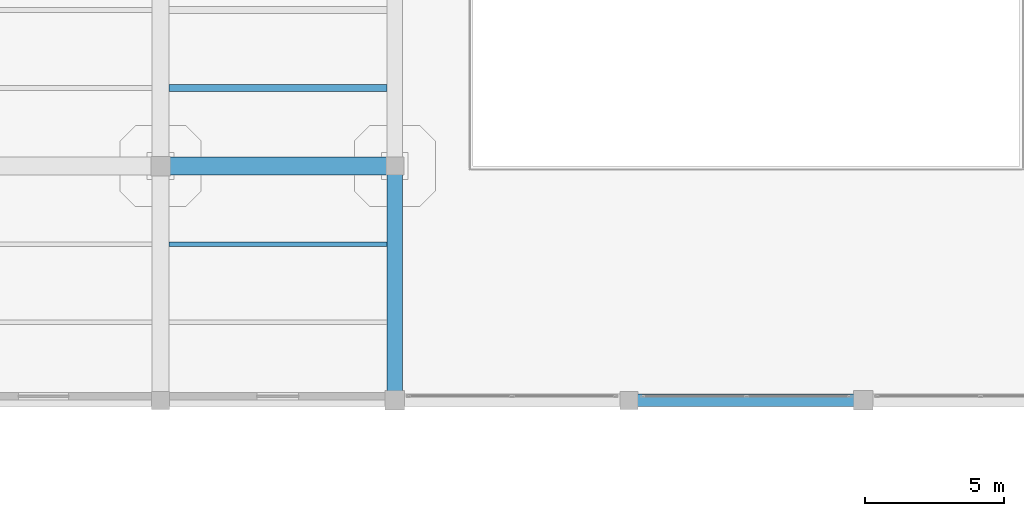
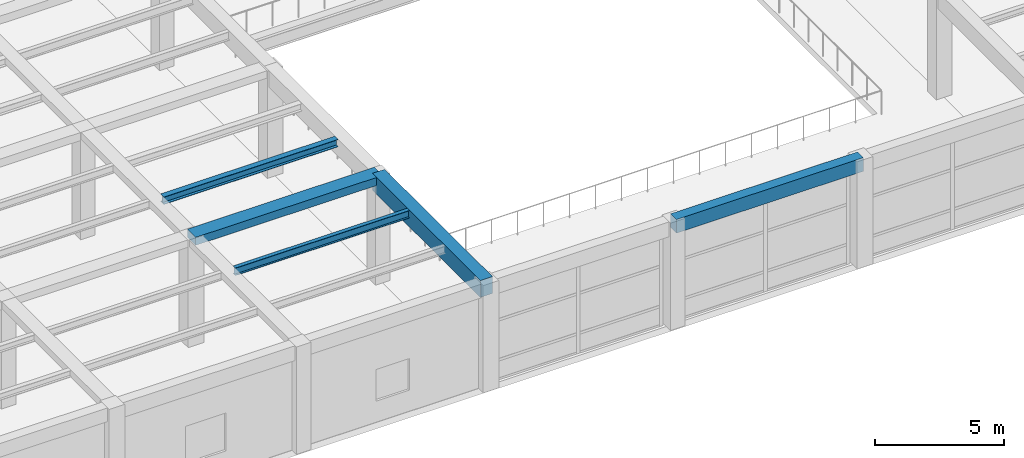
# One storey, part 24 of 95: 5 beams.
"""IFC4 building model written with IfcOpenShell, lengths in metres."""

from ifc_helpers import new_model, si_unit, direction, frame, origin, origin_2d, place, context, subcontext, project, spatial, rectangle, i_section, extrude, material, material_profile, profile_set, type_object, element, save


model = new_model("IFC4")

# Units and contexts
model_context = context("Model", 3, precision=1e-05, world=origin(), true_north=direction((0.0, 1.0)))
body_context = subcontext(model_context, "Body", "Model", "MODEL_VIEW")
ifc_project = project(units=[si_unit("LENGTHUNIT", "METRE"), si_unit("AREAUNIT", "SQUARE_METRE"), si_unit("VOLUMEUNIT", "CUBIC_METRE"), si_unit("PLANEANGLEUNIT", "RADIAN"), si_unit("MASSUNIT", "GRAM", prefix="KILO")], contexts=[model_context])

# Site, building, storey
site_placement = place(None, origin())
site = spatial("IfcSite", under=ifc_project, at=site_placement, CompositionType="ELEMENT")
building_placement = place(site_placement, origin())
building = spatial("IfcBuilding", under=site, at=building_placement, Name="Almacenes y Pasaje Nevantli", CompositionType="ELEMENT")
storey_placement = place(building_placement, frame((0.0, 0.0, 11.39990234375)))
storey = spatial("IfcBuildingStorey", under=building, at=storey_placement, Name="L03", CompositionType="ELEMENT", Elevation=11.39990234375)

# Beams
ifc_material_1 = material(Name="Concrete C35/45", Category="concrete")
ifc_material_profile_1 = material_profile(ifc_material_1, rectangle(XDim=0.449951171875, YDim=0.64990234375, at=origin_2d()), Name="RC-BM-450x650")
ifc_profile_set_1 = profile_set([ifc_material_profile_1], Name="Concrete C35/45")
beam_type_1 = type_object("IfcBeamType", Name="BM-RC-450x650", PredefinedType="SPANDREL", material=ifc_profile_set_1)
beam_1_placement = place(storey_placement, frame((75.60009765625, 0.0, 4.775146484375), z_axis=(1.0, 0.0, 0.0), x_axis=(0.0, 1.0, 0.0)))
element("IfcBeam", 1, at=beam_1_placement, inside=storey, type_object=beam_type_1, Name="L03 East-West Reinforced Concrete Beam #2243", PredefinedType="SPANDREL", context=body_context, shape_type="SweptSolid", body=[
    extrude(rectangle(XDim=0.449951171875, YDim=0.64990234375, at=origin_2d()), origin(), (0.0, 0.0, 1.0), 8.39990234375),
])
ifc_material_2 = material(Name="Concrete C35/45", Category="concrete")
ifc_material_profile_2 = material_profile(ifc_material_2, rectangle(XDim=0.550048828125, YDim=0.800048828125, at=origin_2d()), Name="RC-BM-550x800")
ifc_profile_set_2 = profile_set([ifc_material_profile_2], Name="Concrete C35/45")
beam_type_2 = type_object("IfcBeamType", Name="BM-RC-550x800", PredefinedType="BEAM", material=ifc_profile_set_2)
beam_2_placement = place(storey_placement, frame((67.199951171875, 0.0, 4.7001953125), z_axis=(0.0, 1.0, 0.0), x_axis=(-1.0, 0.0, 0.0)))
element("IfcBeam", 2, at=beam_2_placement, inside=storey, type_object=beam_type_2, Name="L03 North-South Reinforced Concrete Beam #2568", PredefinedType="BEAM", context=body_context, shape_type="SweptSolid", body=[
    extrude(rectangle(XDim=0.550048828125, YDim=0.800048828125, at=origin_2d()), origin(), (0.0, 0.0, 1.0), 8.39990234375),
])
ifc_material_3 = material(Name="Concrete C35/45", Category="concrete")
ifc_material_profile_3 = material_profile(ifc_material_3, rectangle(XDim=0.64990234375, YDim=0.3798828125, at=origin_2d()), Name="RC-BM-650x380")
ifc_profile_set_3 = profile_set([ifc_material_profile_3], Name="Concrete C35/45")
beam_type_3 = type_object("IfcBeamType", Name="BM-RC-650x380", PredefinedType="BEAM", material=ifc_profile_set_3)
beam_3_placement = place(storey_placement, frame((58.800048828125, 8.39990234375, 4.91015625), z_axis=(1.0, 0.0, 0.0), x_axis=(0.0, 1.0, 0.0)))
element("IfcBeam", 3, at=beam_3_placement, inside=storey, type_object=beam_type_3, Name="L03 East-West Reinforced Concrete Beam #2258", PredefinedType="BEAM", context=body_context, shape_type="SweptSolid", body=[
    extrude(rectangle(XDim=0.64990234375, YDim=0.3798828125, at=origin_2d()), origin(), (0.0, 0.0, 1.0), 8.39990234375),
])
ifc_material_4 = material(Name="Steel ASTM A992", Category="steel")
ifc_material_profile_4 = material_profile(ifc_material_4, i_section(OverallWidth=0.173095703125, OverallDepth=0.364013671875, WebThickness=0.009033203125, FlangeThickness=0.015625, at=origin_2d()), Name="IR 356x67.0")
ifc_profile_set_4 = profile_set([ifc_material_profile_4], Name="Steel ASTM A992")
beam_type_4 = type_object("IfcBeamType", Name="BM-STL-IR-356x67p0", PredefinedType="JOIST", material=ifc_profile_set_4)
beam_4_placement = place(storey_placement, frame((59.10009765625, 5.60009765625, 4.91015625), z_axis=(1.0, 0.0, 0.0), x_axis=(0.0, 1.0, 0.0)))
element("IfcBeam", 4, at=beam_4_placement, inside=storey, type_object=beam_type_4, Name="L03 Secondary Steel Floor Joist #770", PredefinedType="JOIST", context=body_context, shape_type="SweptSolid", body=[
    extrude(i_section(OverallWidth=0.173095703125, OverallDepth=0.364013671875, WebThickness=0.009033203125, FlangeThickness=0.015625, at=origin_2d()), origin(), (0.0, 0.0, 1.0), 7.824951171875),
])
ifc_material_5 = material(Name="Steel ASTM A992", Category="steel")
ifc_material_profile_5 = material_profile(ifc_material_5, i_section(OverallWidth=0.25390625, OverallDepth=0.35595703125, WebThickness=0.009521484375, FlangeThickness=0.016357421875, at=origin_2d()), Name="IR 356x79.0")
ifc_profile_set_5 = profile_set([ifc_material_profile_5], Name="Steel ASTM A992")
beam_type_5 = type_object("IfcBeamType", Name="BM-STL-IR-356x79p0", PredefinedType="JOIST", material=ifc_profile_set_5)
beam_5_placement = place(storey_placement, frame((59.10009765625, 11.199951171875, 4.9140625), z_axis=(1.0, 0.0, 0.0), x_axis=(0.0, 1.0, 0.0)))
element("IfcBeam", 5, at=beam_5_placement, inside=storey, type_object=beam_type_5, Name="L03 Secondary Steel Floor Joist #771", PredefinedType="JOIST", context=body_context, shape_type="SweptSolid", body=[
    extrude(i_section(OverallWidth=0.25390625, OverallDepth=0.35595703125, WebThickness=0.009521484375, FlangeThickness=0.016357421875, at=origin_2d()), origin(), (0.0, 0.0, 1.0), 7.824951171875),
])

save(model, "model.ifc")
